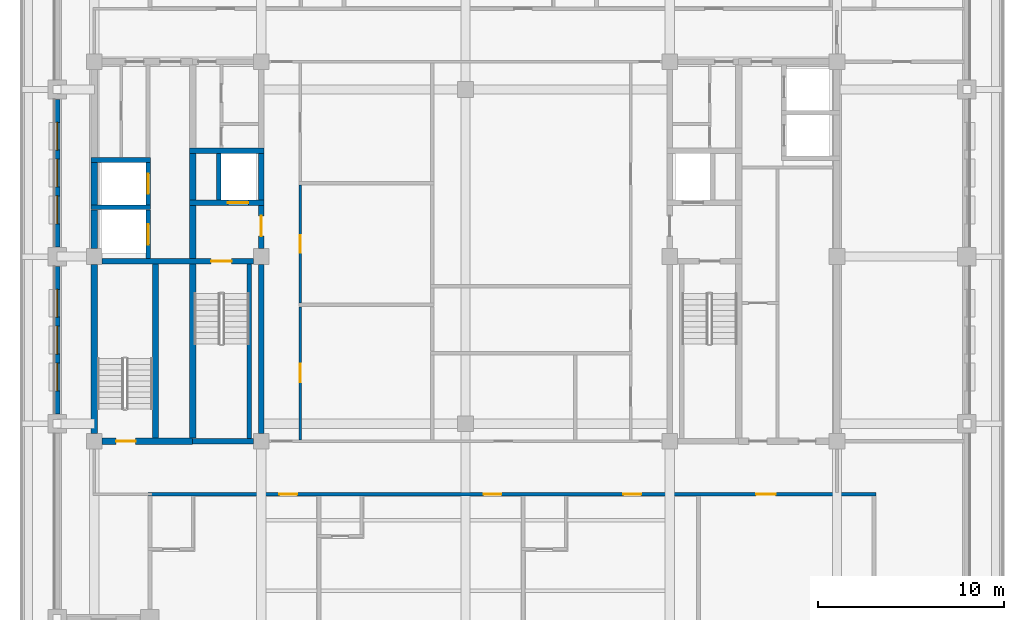
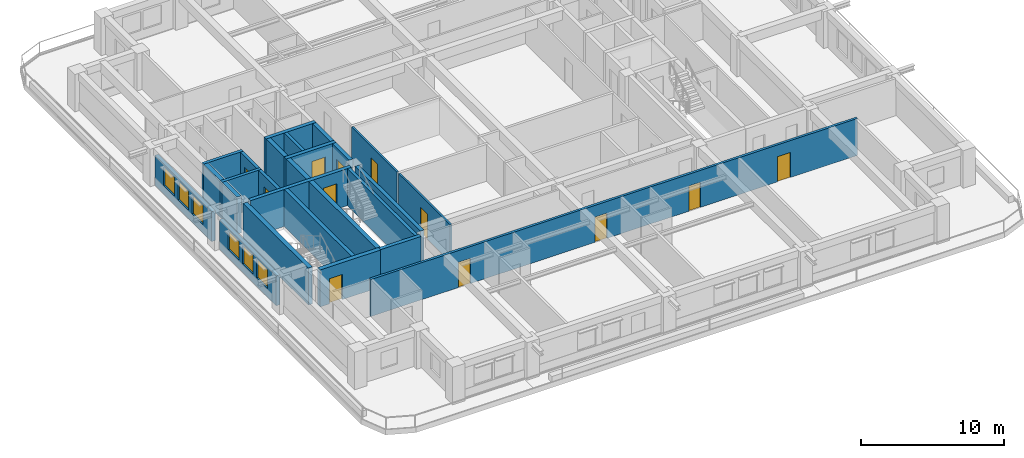
# One storey, part 3 of 13: 26 walls, 12 doors, 6 windows, 18 openings.
"""IFC4 building model written with IfcOpenShell, lengths in metres."""

from ifc_helpers import new_model, si_unit, direction, frame, frame_2d, origin, place, context, subcontext, project, spatial, rectangle, extrude, material, layer, layer_set, type_object, element, fill, save


model = new_model("IFC4")

# Units and contexts
model_context = context("Model", 3, precision=1e-05, world=origin(), true_north=direction((0.0, 1.0)))
body_context = subcontext(model_context, "Body", "Model", "MODEL_VIEW")
ifc_project = project(units=[si_unit("LENGTHUNIT", "METRE"), si_unit("AREAUNIT", "SQUARE_METRE"), si_unit("VOLUMEUNIT", "CUBIC_METRE"), si_unit("PLANEANGLEUNIT", "RADIAN"), si_unit("MASSUNIT", "GRAM", prefix="KILO")], contexts=[model_context])

# Site, building, storey
site_placement = place(None, origin())
site = spatial("IfcSite", under=ifc_project, at=site_placement, CompositionType="ELEMENT")
building_placement = place(site_placement, origin())
building = spatial("IfcBuilding", under=site, at=building_placement, Name="Zulmaris Gate Convention Tower", CompositionType="ELEMENT")
storey_placement = place(building_placement, frame((0.0, 0.0, 176.259765625)))
storey = spatial("IfcBuildingStorey", under=building, at=storey_placement, Name="L45", CompositionType="ELEMENT", Elevation=176.259765625)

# Walls
ifc_material_1 = material(Name="Concrete C50/60", Category="concrete")
ifc_layer_1 = layer(ifc_material_1, 0.25, Name="Concrete C50/60")
ifc_layer_set_1 = layer_set([ifc_layer_1], Name="Concrete C50/60")
wall_type_1 = type_object("IfcWallType", Name="CORE-250", PredefinedType="SOLIDWALL", material=ifc_layer_set_1)
for number, where, z_axis, x_axis, name in (
    (1, (-20.175048828125, 2.64990234375, 0.0), (0.0, 0.0, 1.0), (1.0, 0.0, 0.0), "WL-L45-007"),
    (2, (-20.175048828125, 5.199951171875, 0.0), (0.0, 0.0, 1.0), (1.0, 0.0, 0.0), "WL-L45-010"),
):
    element("IfcWall", number, at=place(storey_placement, frame(where, z_axis=z_axis, x_axis=x_axis)), inside=storey, type_object=wall_type_1, Name=name, PredefinedType="SOLIDWALL", context=body_context, shape_type="SweptSolid", body=[
        extrude(rectangle(XDim=3.199951171875, YDim=0.25, at=frame_2d((1.60009765625, 0.0))), origin(), (0.0, 0.0, 1.0), 3.150146484375),
    ])

# Wall, opening, door
wall_1_placement = place(storey_placement, frame((-17.10009765625, -0.097900390625, 0.0), z_axis=(0.0, 0.0, 1.0), x_axis=(0.0, 1.0, 0.0)))
wall_1 = element("IfcWall", 3, at=wall_1_placement, inside=storey, type_object=wall_type_1, Name="WL-L45-046", PredefinedType="SOLIDWALL", context=body_context, shape_type="SweptSolid", body=[
    extrude(rectangle(XDim=2.620849609375, YDim=0.25, at=frame_2d((1.310546875, 0.0))), origin(), (0.0, 0.0, 1.0), 3.150146484375),
])
opening_1_placement = place(wall_1_placement, frame((0.748046875, 0.0, 0.0)))
opening_1 = element("IfcOpeningElement", 4, at=opening_1_placement, cuts=wall_1, Name="Opening D-06", PredefinedType="OPENING", context=body_context, shape_type="SweptSolid", body=[
    extrude(rectangle(XDim=1.10009765625, YDim=2.199951171875, at=frame_2d((0.550048828125, 1.10009765625))), frame((0.0, 0.135009765625, 0.0), z_axis=(0.0, -1.0, 0.0), x_axis=(1.0, 0.0, 0.0)), (0.0, 0.0, 1.0), 0.27001953125),
])
ifc_material_2 = material(Name="Brushed Stainless Steel", Category="steel")
door_type_1 = type_object("IfcDoorType", Name="LD-1100", OperationType="NOTDEFINED", PredefinedType="DOOR", material=ifc_material_2)
door_1_placement = place(opening_1_placement, origin())
door_1 = element("IfcDoor", 5, at=door_1_placement, inside=storey, type_object=door_type_1, Name="L45 Lift Landing Door HP-03 14", OperationType="SLIDING_TO_LEFT", OverallHeight=2.199951171875, OverallWidth=1.10009765625, PredefinedType="DOOR", context=body_context, shape_type="SweptSolid", body=[
    extrude(rectangle(XDim=1.10009765625, YDim=2.199951171875, at=frame_2d((0.550048828125, 1.10009765625))), frame((0.0, 0.02490234375, 0.0), z_axis=(0.0, -1.0, 0.0), x_axis=(1.0, 0.0, 0.0)), (0.0, 0.0, 1.0), 0.050048828125),
])
fill(opening_1, door_1)

wall_2_placement = place(storey_placement, frame((-17.10009765625, 2.777099609375, 0.0), z_axis=(0.0, 0.0, 1.0), x_axis=(0.0, 1.0, 0.0)))
wall_2 = element("IfcWall", 6, at=wall_2_placement, inside=storey, type_object=wall_type_1, Name="WL-L45-047", PredefinedType="SOLIDWALL", context=body_context, shape_type="SweptSolid", body=[
    extrude(rectangle(XDim=2.2958984375, YDim=0.25, at=frame_2d((1.14794921875, 0.0))), origin(), (0.0, 0.0, 1.0), 3.150146484375),
])
opening_2_placement = place(wall_2_placement, frame((0.597900390625, 0.0, 0.0)))
opening_2 = element("IfcOpeningElement", 7, at=opening_2_placement, cuts=wall_2, Name="Opening D-06", PredefinedType="OPENING", context=body_context, shape_type="SweptSolid", body=[
    extrude(rectangle(XDim=1.10009765625, YDim=2.199951171875, at=frame_2d((0.550048828125, 1.10009765625))), frame((0.0, 0.135009765625, 0.0), z_axis=(0.0, -1.0, 0.0), x_axis=(1.0, 0.0, 0.0)), (0.0, 0.0, 1.0), 0.27001953125),
])
door_2_placement = place(opening_2_placement, origin())
door_2 = element("IfcDoor", 8, at=door_2_placement, inside=storey, type_object=door_type_1, Name="L45 Lift Landing Door HP-04 15", OperationType="SLIDING_TO_LEFT", OverallHeight=2.199951171875, OverallWidth=1.10009765625, PredefinedType="DOOR", context=body_context, shape_type="SweptSolid", body=[
    extrude(rectangle(XDim=1.10009765625, YDim=2.199951171875, at=frame_2d((0.550048828125, 1.10009765625))), frame((0.0, 0.02490234375, 0.0), z_axis=(0.0, -1.0, 0.0), x_axis=(1.0, 0.0, 0.0)), (0.0, 0.0, 1.0), 0.050048828125),
])
fill(opening_2, door_2)

# Walls
wall_3_placement = place(storey_placement, frame((-13.300048828125, 3.052001953125, 0.0), z_axis=(0.0, 0.0, 1.0), x_axis=(0.0, 1.0, 0.0)))
element("IfcWall", 9, at=wall_3_placement, inside=storey, type_object=wall_type_1, Name="WL-L45-053", PredefinedType="SOLIDWALL", context=body_context, shape_type="SweptSolid", body=[
    extrude(rectangle(XDim=2.49609375, YDim=0.25, at=frame_2d((1.248046875, 0.0))), origin(), (0.0, 0.0, 1.0), 3.150146484375),
])
wall_4_placement = place(storey_placement, frame((-11.64990234375, -9.798095703125, 0.0), z_axis=(0.0, 0.0, 1.0), x_axis=(0.0, 1.0, 0.0)))
element("IfcWall", 10, at=wall_4_placement, inside=storey, type_object=wall_type_1, Name="WL-L45-054", PredefinedType="SOLIDWALL", context=body_context, shape_type="SweptSolid", body=[
    extrude(rectangle(XDim=9.39599609375, YDim=0.25, at=frame_2d((4.697998046875, 0.0))), origin(), (0.0, 0.0, 1.0), 3.150146484375),
])
ifc_layer_2 = layer(ifc_material_1, 0.300048828125, Name="Concrete C50/60")
ifc_layer_set_2 = layer_set([ifc_layer_2], Name="Concrete C50/60")
wall_type_2 = type_object("IfcWallType", Name="CORE-300", PredefinedType="SHEAR", material=ifc_layer_set_2)
wall_5_placement = place(storey_placement, frame((-14.699951171875, -9.949951171875, 0.0), z_axis=(0.0, 0.0, 1.0), x_axis=(1.0, 0.0, 0.0)))
element("IfcWall", 11, at=wall_5_placement, inside=storey, type_object=wall_type_2, Name="WL-L45-002", PredefinedType="SHEAR", context=body_context, shape_type="SweptSolid", body=[
    extrude(rectangle(XDim=3.27099609375, YDim=0.300048828125, at=frame_2d((1.635498046875, 0.0))), origin(), (0.0, 0.0, 1.0), 3.150146484375),
])

# Wall, opening, door
wall_6_placement = place(storey_placement, frame((-19.571044921875, -0.25, 0.0), z_axis=(0.0, 0.0, 1.0), x_axis=(1.0, 0.0, 0.0)))
wall_6 = element("IfcWall", 12, at=wall_6_placement, inside=storey, type_object=wall_type_2, Name="WL-L45-005", PredefinedType="SHEAR", context=body_context, shape_type="SweptSolid", body=[
    extrude(rectangle(XDim=8.14208984375, YDim=0.300048828125, at=frame_2d((4.071044921875, 0.0))), origin(), (0.0, 0.0, 1.0), 3.150146484375),
])
opening_3_placement = place(wall_6_placement, frame((5.87109375, 0.0, 0.0)))
opening_3 = element("IfcOpeningElement", 13, at=opening_3_placement, cuts=wall_6, Name="Opening D-08", PredefinedType="OPENING", context=body_context, shape_type="SweptSolid", body=[
    extrude(rectangle(XDim=1.10009765625, YDim=2.14990234375, at=frame_2d((0.550048828125, 1.074951171875))), frame((0.0, 0.16015625, 0.0), z_axis=(0.0, -1.0, 0.0), x_axis=(1.0, 0.0, 0.0)), (0.0, 0.0, 1.0), 0.320068359375),
])
ifc_material_3 = material(Name="Fire-Rated Steel", Category="steel")
door_type_2 = type_object("IfcDoorType", Name="DR-1100-FD", OperationType="NOTDEFINED", PredefinedType="DOOR", material=ifc_material_3)
door_3_placement = place(opening_3_placement, origin())
door_3 = element("IfcDoor", 14, at=door_3_placement, inside=storey, type_object=door_type_2, Name="L45 Exit Stair ST-1 Door 01", OperationType="SINGLE_SWING_RIGHT", OverallHeight=2.14990234375, OverallWidth=1.10009765625, PredefinedType="DOOR", context=body_context, shape_type="SweptSolid", body=[
    extrude(rectangle(XDim=1.10009765625, YDim=2.14990234375, at=frame_2d((0.550048828125, 1.074951171875))), frame((0.0, 0.02490234375, 0.0), z_axis=(0.0, -1.0, 0.0), x_axis=(1.0, 0.0, 0.0)), (0.0, 0.0, 1.0), 0.050048828125),
])
fill(opening_3, door_3)

wall_7_placement = place(storey_placement, frame((-14.875, 2.89990234375, 0.0), z_axis=(0.0, 0.0, 1.0), x_axis=(1.0, 0.0, 0.0)))
wall_7 = element("IfcWall", 15, at=wall_7_placement, inside=storey, type_object=wall_type_2, Name="WL-L45-008", PredefinedType="SHEAR", context=body_context, shape_type="SweptSolid", body=[
    extrude(rectangle(XDim=4.02490234375, YDim=0.300048828125, at=frame_2d((2.012451171875, 0.0))), origin(), (0.0, 0.0, 1.0), 3.150146484375),
])
opening_4_placement = place(wall_7_placement, frame((2.074951171875, 0.0, 0.0)))
opening_4 = element("IfcOpeningElement", 16, at=opening_4_placement, cuts=wall_7, Name="Opening D-06", PredefinedType="OPENING", context=body_context, shape_type="SweptSolid", body=[
    extrude(rectangle(XDim=1.10009765625, YDim=2.199951171875, at=frame_2d((0.550048828125, 1.10009765625))), frame((0.0, 0.16015625, 0.0), z_axis=(0.0, -1.0, 0.0), x_axis=(1.0, 0.0, 0.0)), (0.0, 0.0, 1.0), 0.320068359375),
])
door_4_placement = place(opening_4_placement, origin())
door_4 = element("IfcDoor", 17, at=door_4_placement, inside=storey, type_object=door_type_1, Name="L45 Lift Landing Door LF-01 03", OperationType="SLIDING_TO_LEFT", OverallHeight=2.199951171875, OverallWidth=1.10009765625, PredefinedType="DOOR", context=body_context, shape_type="SweptSolid", body=[
    extrude(rectangle(XDim=1.10009765625, YDim=2.199951171875, at=frame_2d((0.550048828125, 1.10009765625))), frame((0.0, 0.02490234375, 0.0), z_axis=(0.0, -1.0, 0.0), x_axis=(1.0, 0.0, 0.0)), (0.0, 0.0, 1.0), 0.050048828125),
])
fill(opening_4, door_4)

# Walls
wall_8_placement = place(storey_placement, frame((-14.875, 5.699951171875, 0.0), z_axis=(0.0, 0.0, 1.0), x_axis=(1.0, 0.0, 0.0)))
element("IfcWall", 18, at=wall_8_placement, inside=storey, type_object=wall_type_2, Name="WL-L45-012", PredefinedType="SHEAR", context=body_context, shape_type="SweptSolid", body=[
    extrude(rectangle(XDim=4.02490234375, YDim=0.300048828125, at=frame_2d((2.012451171875, 0.0))), origin(), (0.0, 0.0, 1.0), 3.150146484375),
])
wall_9_placement = place(storey_placement, frame((-16.699951171875, -9.77294921875, 0.0), z_axis=(0.0, 0.0, 1.0), x_axis=(0.0, 1.0, 0.0)))
element("IfcWall", 19, at=wall_9_placement, inside=storey, type_object=wall_type_2, Name="WL-L45-048", PredefinedType="SHEAR", context=body_context, shape_type="SweptSolid", body=[
    extrude(rectangle(XDim=9.370849609375, YDim=0.300048828125, at=frame_2d((4.685546875, 0.0))), origin(), (0.0, 0.0, 1.0), 3.150146484375),
])
wall_10_placement = place(storey_placement, frame((-11.0, -9.52099609375, 0.0), z_axis=(0.0, 0.0, 1.0), x_axis=(0.0, 1.0, 0.0)))
element("IfcWall", 20, at=wall_10_placement, inside=storey, type_object=wall_type_2, Name="WL-L45-055", PredefinedType="SHEAR", context=body_context, shape_type="SweptSolid", body=[
    extrude(rectangle(XDim=9.092041015625, YDim=0.300048828125, at=frame_2d((4.5458984375, 0.0))), origin(), (0.0, 0.0, 1.0), 3.150146484375),
])

# Wall, opening, door
wall_11_placement = place(storey_placement, frame((-11.0, 0.428955078125, 0.0), z_axis=(0.0, 0.0, 1.0), x_axis=(0.0, 1.0, 0.0)))
wall_11 = element("IfcWall", 21, at=wall_11_placement, inside=storey, type_object=wall_type_2, Name="WL-L45-056", PredefinedType="SHEAR", context=body_context, shape_type="SweptSolid", body=[
    extrude(rectangle(XDim=2.319091796875, YDim=0.300048828125, at=frame_2d((1.15966796875, 0.0))), origin(), (0.0, 0.0, 1.0), 3.150146484375),
])
opening_5_placement = place(wall_11_placement, frame((0.6708984375, 0.0, 0.0)))
opening_5 = element("IfcOpeningElement", 22, at=opening_5_placement, cuts=wall_11, Name="Opening D-08", PredefinedType="OPENING", context=body_context, shape_type="SweptSolid", body=[
    extrude(rectangle(XDim=1.10009765625, YDim=2.14990234375, at=frame_2d((0.550048828125, 1.074951171875))), frame((0.0, 0.16015625, 0.0), z_axis=(0.0, -1.0, 0.0), x_axis=(1.0, 0.0, 0.0)), (0.0, 0.0, 1.0), 0.320068359375),
])
door_5_placement = place(opening_5_placement, origin())
door_5 = element("IfcDoor", 23, at=door_5_placement, inside=storey, type_object=door_type_2, Name="L45 West Firefighting Lobby Door 02", OperationType="SINGLE_SWING_LEFT", OverallHeight=2.14990234375, OverallWidth=1.10009765625, PredefinedType="DOOR", context=body_context, shape_type="SweptSolid", body=[
    extrude(rectangle(XDim=1.10009765625, YDim=2.14990234375, at=frame_2d((0.550048828125, 1.074951171875))), frame((0.0, 0.02490234375, 0.0), z_axis=(0.0, -1.0, 0.0), x_axis=(1.0, 0.0, 0.0)), (0.0, 0.0, 1.0), 0.050048828125),
])
fill(opening_5, door_5)

# Wall
wall_12_placement = place(storey_placement, frame((-11.0, 3.052001953125, 0.0), z_axis=(0.0, 0.0, 1.0), x_axis=(0.0, 1.0, 0.0)))
element("IfcWall", 24, at=wall_12_placement, inside=storey, type_object=wall_type_2, Name="WL-L45-057", PredefinedType="SHEAR", context=body_context, shape_type="SweptSolid", body=[
    extrude(rectangle(XDim=2.49609375, YDim=0.300048828125, at=frame_2d((1.248046875, 0.0))), origin(), (0.0, 0.0, 1.0), 3.150146484375),
])

# Wall, opening, door
ifc_material_4 = material(Name="Concrete C55/67", Category="concrete")
ifc_layer_3 = layer(ifc_material_4, 0.35009765625, Name="Concrete C55/67")
ifc_layer_set_3 = layer_set([ifc_layer_3], Name="Concrete C55/67")
wall_type_3 = type_object("IfcWallType", Name="CORE-350", PredefinedType="SHEAR", material=ifc_layer_set_3)
wall_13_placement = place(storey_placement, frame((-19.571044921875, -9.949951171875, 0.0), z_axis=(0.0, 0.0, 1.0), x_axis=(1.0, 0.0, 0.0)))
wall_13 = element("IfcWall", 25, at=wall_13_placement, inside=storey, type_object=wall_type_3, Name="WL-L45-001", PredefinedType="SHEAR", context=body_context, shape_type="SweptSolid", body=[
    extrude(rectangle(XDim=4.87109375, YDim=0.35009765625, at=frame_2d((2.435546875, 0.0))), origin(), (0.0, 0.0, 1.0), 3.150146484375),
])
opening_6_placement = place(wall_13_placement, frame((0.74609375, 0.0, 0.0)))
opening_6 = element("IfcOpeningElement", 26, at=opening_6_placement, cuts=wall_13, Name="Opening D-09", PredefinedType="OPENING", context=body_context, shape_type="SweptSolid", body=[
    extrude(rectangle(XDim=1.050048828125, YDim=2.14990234375, at=frame_2d((0.52490234375, 1.074951171875))), frame((0.0, 0.18505859375, 0.0), z_axis=(0.0, -1.0, 0.0), x_axis=(1.0, 0.0, 0.0)), (0.0, 0.0, 1.0), 0.3701171875),
])
door_type_3 = type_object("IfcDoorType", Name="DR-1050-FD", OperationType="NOTDEFINED", PredefinedType="DOOR", material=ifc_material_3)
door_6_placement = place(opening_6_placement, origin())
door_6 = element("IfcDoor", 27, at=door_6_placement, inside=storey, type_object=door_type_3, Name="L45 Exit Stair ST-3 Door 13", OperationType="SINGLE_SWING_RIGHT", OverallHeight=2.14990234375, OverallWidth=1.050048828125, PredefinedType="DOOR", context=body_context, shape_type="SweptSolid", body=[
    extrude(rectangle(XDim=1.050048828125, YDim=2.14990234375, at=frame_2d((0.52490234375, 1.074951171875))), frame((0.0, 0.02490234375, 0.0), z_axis=(0.0, -1.0, 0.0), x_axis=(1.0, 0.0, 0.0)), (0.0, 0.0, 1.0), 0.050048828125),
])
fill(opening_6, door_6)

# Walls
wall_14_placement = place(storey_placement, frame((-20.0, -9.52099609375, 0.0), z_axis=(0.0, 0.0, 1.0), x_axis=(0.0, 1.0, 0.0)))
element("IfcWall", 28, at=wall_14_placement, inside=storey, type_object=wall_type_3, Name="WL-L45-042", PredefinedType="SHEAR", context=body_context, shape_type="SweptSolid", body=[
    extrude(rectangle(XDim=9.092041015625, YDim=0.35009765625, at=frame_2d((4.5458984375, 0.0))), origin(), (0.0, 0.0, 1.0), 3.150146484375),
])
wall_15_placement = place(storey_placement, frame((-20.0, 0.428955078125, 0.0), z_axis=(0.0, 0.0, 1.0), x_axis=(0.0, 1.0, 0.0)))
element("IfcWall", 29, at=wall_15_placement, inside=storey, type_object=wall_type_3, Name="WL-L45-043", PredefinedType="SHEAR", context=body_context, shape_type="SweptSolid", body=[
    extrude(rectangle(XDim=2.093994140625, YDim=0.35009765625, at=frame_2d((1.046875, 0.0))), origin(), (0.0, 0.0, 1.0), 3.150146484375),
])
wall_16_placement = place(storey_placement, frame((-20.0, 2.777099609375, 0.0), z_axis=(0.0, 0.0, 1.0), x_axis=(0.0, 1.0, 0.0)))
element("IfcWall", 30, at=wall_16_placement, inside=storey, type_object=wall_type_3, Name="WL-L45-044", PredefinedType="SHEAR", context=body_context, shape_type="SweptSolid", body=[
    extrude(rectangle(XDim=2.2958984375, YDim=0.35009765625, at=frame_2d((1.14794921875, 0.0))), origin(), (0.0, 0.0, 1.0), 3.150146484375),
])
wall_17_placement = place(storey_placement, frame((-14.699951171875, -9.77294921875, 0.0), z_axis=(0.0, 0.0, 1.0), x_axis=(0.0, 1.0, 0.0)))
element("IfcWall", 31, at=wall_17_placement, inside=storey, type_object=wall_type_3, Name="WL-L45-049", PredefinedType="SHEAR", context=body_context, shape_type="SweptSolid", body=[
    extrude(rectangle(XDim=9.370849609375, YDim=0.35009765625, at=frame_2d((4.685546875, 0.0))), origin(), (0.0, 0.0, 1.0), 3.150146484375),
])
wall_18_placement = place(storey_placement, frame((-14.699951171875, -0.097900390625, 0.0), z_axis=(0.0, 0.0, 1.0), x_axis=(0.0, 1.0, 0.0)))
element("IfcWall", 32, at=wall_18_placement, inside=storey, type_object=wall_type_3, Name="WL-L45-050", PredefinedType="SHEAR", context=body_context, shape_type="SweptSolid", body=[
    extrude(rectangle(XDim=2.845947265625, YDim=0.35009765625, at=frame_2d((1.4228515625, 0.0))), origin(), (0.0, 0.0, 1.0), 3.150146484375),
])
wall_19_placement = place(storey_placement, frame((-14.699951171875, 3.052001953125, 0.0), z_axis=(0.0, 0.0, 1.0), x_axis=(0.0, 1.0, 0.0)))
element("IfcWall", 33, at=wall_19_placement, inside=storey, type_object=wall_type_3, Name="WL-L45-051", PredefinedType="SHEAR", context=body_context, shape_type="SweptSolid", body=[
    extrude(rectangle(XDim=2.49609375, YDim=0.35009765625, at=frame_2d((1.248046875, 0.0))), origin(), (0.0, 0.0, 1.0), 3.150146484375),
])

# Wall, opening, door
ifc_material_5 = material(Name="Gypsum Metal Stud Partition")
ifc_layer_4 = layer(ifc_material_5, 0.14990234375, Name="Gypsum Metal Stud Partition")
ifc_layer_set_4 = layer_set([ifc_layer_4], Name="Gypsum Metal Stud Partition")
wall_type_4 = type_object("IfcWallType", Name="PART-150", PredefinedType="PARTITIONING", material=ifc_layer_set_4)
wall_20_placement = place(storey_placement, frame((-8.89990234375, -9.8720703125, 0.0), z_axis=(0.0, 0.0, 1.0), x_axis=(0.0, 1.0, 0.0)))
wall_20 = element("IfcWall", 34, at=wall_20_placement, inside=storey, type_object=wall_type_4, Name="WL-L45-084", PredefinedType="PARTITIONING", context=body_context, shape_type="SweptSolid", body=[
    extrude(rectangle(XDim=7.169189453125, YDim=0.14990234375, at=frame_2d((3.58447265625, 0.0))), origin(), (0.0, 0.0, 1.0), 3.150146484375),
])
opening_7_placement = place(wall_20_placement, frame((3.10205078125, 0.0, 0.0)))
opening_7 = element("IfcOpeningElement", 35, at=opening_7_placement, cuts=wall_20, Name="Opening D-10", PredefinedType="OPENING", context=body_context, shape_type="SweptSolid", body=[
    extrude(rectangle(XDim=1.0, YDim=2.14990234375, at=frame_2d((0.5, 1.074951171875))), frame((0.0, 0.0849609375, 0.0), z_axis=(0.0, -1.0, 0.0), x_axis=(1.0, 0.0, 0.0)), (0.0, 0.0, 1.0), 0.169921875),
])
ifc_material_6 = material(Name="Fire-Rated Timber", Category="wood")
door_type_4 = type_object("IfcDoorType", Name="DR-1000-FD", OperationType="NOTDEFINED", PredefinedType="DOOR", material=ifc_material_6)
door_7_placement = place(opening_7_placement, origin())
door_7 = element("IfcDoor", 36, at=door_7_placement, inside=storey, type_object=door_type_4, Name="L45 Guest Study Door 44", OperationType="SINGLE_SWING_LEFT", OverallHeight=2.14990234375, OverallWidth=1.0, PredefinedType="DOOR", context=body_context, shape_type="SweptSolid", body=[
    extrude(rectangle(XDim=1.0, YDim=2.14990234375, at=frame_2d((0.5, 1.074951171875))), frame((0.0, 0.02490234375, 0.0), z_axis=(0.0, -1.0, 0.0), x_axis=(1.0, 0.0, 0.0)), (0.0, 0.0, 1.0), 0.050048828125),
])
fill(opening_7, door_7)

wall_21_placement = place(storey_placement, frame((-8.89990234375, -2.4970703125, 0.0), z_axis=(0.0, 0.0, 1.0), x_axis=(0.0, 1.0, 0.0)))
wall_21 = element("IfcWall", 37, at=wall_21_placement, inside=storey, type_object=wall_type_4, Name="WL-L45-085", PredefinedType="PARTITIONING", context=body_context, shape_type="SweptSolid", body=[
    extrude(rectangle(XDim=6.343994140625, YDim=0.14990234375, at=frame_2d((3.171875, 0.0))), origin(), (0.0, 0.0, 1.0), 3.150146484375),
])
opening_8_placement = place(wall_21_placement, frame((2.701904296875, 0.0, 0.0)))
opening_8 = element("IfcOpeningElement", 38, at=opening_8_placement, cuts=wall_21, Name="Opening D-11", PredefinedType="OPENING", context=body_context, shape_type="SweptSolid", body=[
    extrude(rectangle(XDim=0.949951171875, YDim=2.14990234375, at=frame_2d((0.47509765625, 1.074951171875))), frame((0.0, 0.0849609375, 0.0), z_axis=(0.0, -1.0, 0.0), x_axis=(1.0, 0.0, 0.0)), (0.0, 0.0, 1.0), 0.169921875),
])
door_type_5 = type_object("IfcDoorType", Name="DR-950-FD", OperationType="NOTDEFINED", PredefinedType="DOOR", material=ifc_material_6)
door_8_placement = place(opening_8_placement, origin())
door_8 = element("IfcDoor", 39, at=door_8_placement, inside=storey, type_object=door_type_5, Name="L45 Tea Salon Door 43", OperationType="SINGLE_SWING_RIGHT", OverallHeight=2.14990234375, OverallWidth=0.949951171875, PredefinedType="DOOR", context=body_context, shape_type="SweptSolid", body=[
    extrude(rectangle(XDim=0.949951171875, YDim=2.14990234375, at=frame_2d((0.47509765625, 1.074951171875))), frame((0.0, 0.02490234375, 0.0), z_axis=(0.0, -1.0, 0.0), x_axis=(1.0, 0.0, 0.0)), (0.0, 0.0, 1.0), 0.050048828125),
])
fill(opening_8, door_8)

# Wall, openings, doors
ifc_material_7 = material(Name="Autoclaved Aerated Concrete Block and Plasterboard", Category="concrete")
ifc_layer_5 = layer(ifc_material_7, 0.199951171875, Name="Autoclaved Aerated Concrete Block and Plasterboard")
ifc_layer_set_5 = layer_set([ifc_layer_5], Name="Autoclaved Aerated Concrete Block and Plasterboard")
wall_type_5 = type_object("IfcWallType", Name="PART-200", PredefinedType="PARTITIONING", material=ifc_layer_set_5)
wall_22_placement = place(storey_placement, frame((-17.10009765625, -12.800048828125, 0.0), z_axis=(0.0, 0.0, 1.0), x_axis=(1.0, 0.0, 0.0)))
wall_22 = element("IfcWall", 40, at=wall_22_placement, inside=storey, type_object=wall_type_5, Name="WL-L45-023", PredefinedType="PARTITIONING", context=body_context, shape_type="SweptSolid", body=[
    extrude(rectangle(XDim=39.2001953125, YDim=0.199951171875, at=frame_2d((19.60009765625, 0.0))), origin(), (0.0, 0.0, 1.0), 3.150146484375),
])
opening_9_placement = place(wall_22_placement, frame((7.074951171875, 0.0, 0.0)))
opening_9 = element("IfcOpeningElement", 41, at=opening_9_placement, cuts=wall_22, Name="Opening D-11", PredefinedType="OPENING", context=body_context, shape_type="SweptSolid", body=[
    extrude(rectangle(XDim=0.949951171875, YDim=2.14990234375, at=frame_2d((0.47509765625, 1.074951171875))), frame((0.0, 0.10986328125, 0.0), z_axis=(0.0, -1.0, 0.0), x_axis=(1.0, 0.0, 0.0)), (0.0, 0.0, 1.0), 0.219970703125),
])
opening_10_placement = place(wall_22_placement, frame((18.074951171875, 0.0, 0.0)))
opening_10 = element("IfcOpeningElement", 42, at=opening_10_placement, cuts=wall_22, Name="Opening D-11", PredefinedType="OPENING", context=body_context, shape_type="SweptSolid", body=[
    extrude(rectangle(XDim=0.949951171875, YDim=2.14990234375, at=frame_2d((0.47509765625, 1.074951171875))), frame((0.0, 0.10986328125, 0.0), z_axis=(0.0, -1.0, 0.0), x_axis=(1.0, 0.0, 0.0)), (0.0, 0.0, 1.0), 0.219970703125),
])
opening_11_placement = place(wall_22_placement, frame((25.60498046875, 0.0, 0.0)))
opening_11 = element("IfcOpeningElement", 43, at=opening_11_placement, cuts=wall_22, Name="Opening D-11", PredefinedType="OPENING", context=body_context, shape_type="SweptSolid", body=[
    extrude(rectangle(XDim=0.949951171875, YDim=2.14990234375, at=frame_2d((0.47509765625, 1.074951171875))), frame((0.0, 0.10986328125, 0.0), z_axis=(0.0, -1.0, 0.0), x_axis=(1.0, 0.0, 0.0)), (0.0, 0.0, 1.0), 0.219970703125),
])
opening_12_placement = place(wall_22_placement, frame((32.7548828125, 0.0, 0.0)))
opening_12 = element("IfcOpeningElement", 44, at=opening_12_placement, cuts=wall_22, Name="Opening D-09", PredefinedType="OPENING", context=body_context, shape_type="SweptSolid", body=[
    extrude(rectangle(XDim=1.050048828125, YDim=2.14990234375, at=frame_2d((0.52490234375, 1.074951171875))), frame((0.0, 0.10986328125, 0.0), z_axis=(0.0, -1.0, 0.0), x_axis=(1.0, 0.0, 0.0)), (0.0, 0.0, 1.0), 0.219970703125),
])
door_9_placement = place(opening_12_placement, origin())
door_9 = element("IfcDoor", 45, at=door_9_placement, inside=storey, type_object=door_type_3, Name="L45 Briefing Room Door 41", OperationType="SINGLE_SWING_RIGHT", OverallHeight=2.14990234375, OverallWidth=1.050048828125, PredefinedType="DOOR", context=body_context, shape_type="SweptSolid", body=[
    extrude(rectangle(XDim=1.050048828125, YDim=2.14990234375, at=frame_2d((0.52490234375, 1.074951171875))), frame((0.0, 0.02490234375, 0.0), z_axis=(0.0, -1.0, 0.0), x_axis=(1.0, 0.0, 0.0)), (0.0, 0.0, 1.0), 0.050048828125),
])
fill(opening_12, door_9)
door_10_placement = place(opening_9_placement, origin())
door_10 = element("IfcDoor", 46, at=door_10_placement, inside=storey, type_object=door_type_5, Name="L45 Hotel Executive Suite Door 35", OperationType="SINGLE_SWING_RIGHT", OverallHeight=2.14990234375, OverallWidth=0.949951171875, PredefinedType="DOOR", context=body_context, shape_type="SweptSolid", body=[
    extrude(rectangle(XDim=0.949951171875, YDim=2.14990234375, at=frame_2d((0.47509765625, 1.074951171875))), frame((0.0, 0.02490234375, 0.0), z_axis=(0.0, -1.0, 0.0), x_axis=(1.0, 0.0, 0.0)), (0.0, 0.0, 1.0), 0.050048828125),
])
fill(opening_9, door_10)
door_11_placement = place(opening_10_placement, origin())
door_11 = element("IfcDoor", 47, at=door_11_placement, inside=storey, type_object=door_type_5, Name="L45 Hotel Executive Suite Door 37", OperationType="SINGLE_SWING_RIGHT", OverallHeight=2.14990234375, OverallWidth=0.949951171875, PredefinedType="DOOR", context=body_context, shape_type="SweptSolid", body=[
    extrude(rectangle(XDim=0.949951171875, YDim=2.14990234375, at=frame_2d((0.47509765625, 1.074951171875))), frame((0.0, 0.02490234375, 0.0), z_axis=(0.0, -1.0, 0.0), x_axis=(1.0, 0.0, 0.0)), (0.0, 0.0, 1.0), 0.050048828125),
])
fill(opening_10, door_11)
door_12_placement = place(opening_11_placement, origin())
door_12 = element("IfcDoor", 48, at=door_12_placement, inside=storey, type_object=door_type_5, Name="L45 Hotel Executive Suite Door 39", OperationType="SINGLE_SWING_RIGHT", OverallHeight=2.14990234375, OverallWidth=0.949951171875, PredefinedType="DOOR", context=body_context, shape_type="SweptSolid", body=[
    extrude(rectangle(XDim=0.949951171875, YDim=2.14990234375, at=frame_2d((0.47509765625, 1.074951171875))), frame((0.0, 0.02490234375, 0.0), z_axis=(0.0, -1.0, 0.0), x_axis=(1.0, 0.0, 0.0)), (0.0, 0.0, 1.0), 0.050048828125),
])
fill(opening_11, door_12)

# Wall, openings, windows
ifc_material_8 = material(Name="Precast concrete C40/50", Category="concrete")
ifc_layer_6 = layer(ifc_material_8, 0.300048828125, Name="Precast concrete C40/50")
ifc_layer_set_6 = layer_set([ifc_layer_6], Name="Precast concrete C40/50")
wall_type_6 = type_object("IfcWallType", Name="PRECAST-PIER-300", PredefinedType="STANDARD", material=ifc_layer_set_6)
wall_23_placement = place(storey_placement, frame((-22.0, -0.530029296875, 0.0), z_axis=(0.0, 0.0, 1.0), x_axis=(0.0, -1.0, 0.0)))
wall_23 = element("IfcWall", 49, at=wall_23_placement, inside=storey, type_object=wall_type_6, Name="EW-L45-W-1_0", PredefinedType="STANDARD", context=body_context, shape_type="SweptSolid", body=[
    extrude(rectangle(XDim=7.93994140625, YDim=0.300048828125, at=frame_2d((3.969970703125, 0.0))), origin(), (0.0, 0.0, 1.0), 2.542236328125),
])
opening_13_placement = place(wall_23_placement, frame((1.235107421875, 0.0, 0.719970703125)))
opening_13 = element("IfcOpeningElement", 50, at=opening_13_placement, cuts=wall_23, Name="Opening W-03", PredefinedType="OPENING", context=body_context, shape_type="SweptSolid", body=[
    extrude(rectangle(XDim=1.5, YDim=1.60009765625, at=frame_2d((0.75, 0.800048828125))), frame((0.0, 0.16015625, 0.0), z_axis=(0.0, -1.0, 0.0), x_axis=(1.0, 0.0, 0.0)), (0.0, 0.0, 1.0), 0.320068359375),
])
opening_14_placement = place(wall_23_placement, frame((3.219970703125, 0.0, 0.719970703125)))
opening_14 = element("IfcOpeningElement", 51, at=opening_14_placement, cuts=wall_23, Name="Opening W-03", PredefinedType="OPENING", context=body_context, shape_type="SweptSolid", body=[
    extrude(rectangle(XDim=1.5, YDim=1.60009765625, at=frame_2d((0.75, 0.800048828125))), frame((0.0, 0.16015625, 0.0), z_axis=(0.0, -1.0, 0.0), x_axis=(1.0, 0.0, 0.0)), (0.0, 0.0, 1.0), 0.320068359375),
])
opening_15_placement = place(wall_23_placement, frame((5.205078125, 0.0, 0.719970703125)))
opening_15 = element("IfcOpeningElement", 52, at=opening_15_placement, cuts=wall_23, Name="Opening W-03", PredefinedType="OPENING", context=body_context, shape_type="SweptSolid", body=[
    extrude(rectangle(XDim=1.5, YDim=1.60009765625, at=frame_2d((0.75, 0.800048828125))), frame((0.0, 0.16015625, 0.0), z_axis=(0.0, -1.0, 0.0), x_axis=(1.0, 0.0, 0.0)), (0.0, 0.0, 1.0), 0.320068359375),
])
ifc_material_9 = material(Name="Low-E Laminated Double Glazing in Aluminium Frame", Category="aluminium")
window_type = type_object("IfcWindowType", Name="WIN-1500x2100", PartitioningType="SINGLE_PANEL", PredefinedType="WINDOW", material=ifc_material_9)
window_1_placement = place(opening_13_placement, origin())
window_1 = element("IfcWindow", 53, at=window_1_placement, inside=storey, type_object=window_type, Name="WN-EW-L45-W-1_0-1", OverallHeight=1.60009765625, OverallWidth=1.5, PartitioningType="SINGLE_PANEL", PredefinedType="WINDOW", context=body_context, shape_type="SweptSolid", body=[
    extrude(rectangle(XDim=1.5, YDim=1.60009765625, at=frame_2d((0.75, 0.800048828125))), frame((0.0, 0.030029296875, 0.0), z_axis=(0.0, -1.0, 0.0), x_axis=(1.0, 0.0, 0.0)), (0.0, 0.0, 1.0), 0.06005859375),
])
fill(opening_13, window_1)
window_2_placement = place(opening_14_placement, origin())
window_2 = element("IfcWindow", 54, at=window_2_placement, inside=storey, type_object=window_type, Name="WN-EW-L45-W-1_0-2", OverallHeight=1.60009765625, OverallWidth=1.5, PartitioningType="SINGLE_PANEL", PredefinedType="WINDOW", context=body_context, shape_type="SweptSolid", body=[
    extrude(rectangle(XDim=1.5, YDim=1.60009765625, at=frame_2d((0.75, 0.800048828125))), frame((0.0, 0.030029296875, 0.0), z_axis=(0.0, -1.0, 0.0), x_axis=(1.0, 0.0, 0.0)), (0.0, 0.0, 1.0), 0.06005859375),
])
fill(opening_14, window_2)
window_3_placement = place(opening_15_placement, origin())
window_3 = element("IfcWindow", 55, at=window_3_placement, inside=storey, type_object=window_type, Name="WN-EW-L45-W-1_0-3", OverallHeight=1.60009765625, OverallWidth=1.5, PartitioningType="SINGLE_PANEL", PredefinedType="WINDOW", context=body_context, shape_type="SweptSolid", body=[
    extrude(rectangle(XDim=1.5, YDim=1.60009765625, at=frame_2d((0.75, 0.800048828125))), frame((0.0, 0.030029296875, 0.0), z_axis=(0.0, -1.0, 0.0), x_axis=(1.0, 0.0, 0.0)), (0.0, 0.0, 1.0), 0.06005859375),
])
fill(opening_15, window_3)

wall_24_placement = place(storey_placement, frame((-22.0, 8.469970703125, 0.0), z_axis=(0.0, 0.0, 1.0), x_axis=(0.0, -1.0, 0.0)))
wall_24 = element("IfcWall", 56, at=wall_24_placement, inside=storey, type_object=wall_type_6, Name="EW-L45-W-2_0", PredefinedType="STANDARD", context=body_context, shape_type="SweptSolid", body=[
    extrude(rectangle(XDim=7.93994140625, YDim=0.300048828125, at=frame_2d((3.969970703125, 0.0))), origin(), (0.0, 0.0, 1.0), 2.542236328125),
])
opening_16_placement = place(wall_24_placement, frame((1.235107421875, 0.0, 0.719970703125)))
opening_16 = element("IfcOpeningElement", 57, at=opening_16_placement, cuts=wall_24, Name="Opening W-03", PredefinedType="OPENING", context=body_context, shape_type="SweptSolid", body=[
    extrude(rectangle(XDim=1.5, YDim=1.60009765625, at=frame_2d((0.75, 0.800048828125))), frame((0.0, 0.16015625, 0.0), z_axis=(0.0, -1.0, 0.0), x_axis=(1.0, 0.0, 0.0)), (0.0, 0.0, 1.0), 0.320068359375),
])
opening_17_placement = place(wall_24_placement, frame((3.219970703125, 0.0, 0.719970703125)))
opening_17 = element("IfcOpeningElement", 58, at=opening_17_placement, cuts=wall_24, Name="Opening W-03", PredefinedType="OPENING", context=body_context, shape_type="SweptSolid", body=[
    extrude(rectangle(XDim=1.5, YDim=1.60009765625, at=frame_2d((0.75, 0.800048828125))), frame((0.0, 0.16015625, 0.0), z_axis=(0.0, -1.0, 0.0), x_axis=(1.0, 0.0, 0.0)), (0.0, 0.0, 1.0), 0.320068359375),
])
opening_18_placement = place(wall_24_placement, frame((5.205078125, 0.0, 0.719970703125)))
opening_18 = element("IfcOpeningElement", 59, at=opening_18_placement, cuts=wall_24, Name="Opening W-03", PredefinedType="OPENING", context=body_context, shape_type="SweptSolid", body=[
    extrude(rectangle(XDim=1.5, YDim=1.60009765625, at=frame_2d((0.75, 0.800048828125))), frame((0.0, 0.16015625, 0.0), z_axis=(0.0, -1.0, 0.0), x_axis=(1.0, 0.0, 0.0)), (0.0, 0.0, 1.0), 0.320068359375),
])
window_4_placement = place(opening_16_placement, origin())
window_4 = element("IfcWindow", 60, at=window_4_placement, inside=storey, type_object=window_type, Name="WN-EW-L45-W-2_0-1", OverallHeight=1.60009765625, OverallWidth=1.5, PartitioningType="SINGLE_PANEL", PredefinedType="WINDOW", context=body_context, shape_type="SweptSolid", body=[
    extrude(rectangle(XDim=1.5, YDim=1.60009765625, at=frame_2d((0.75, 0.800048828125))), frame((0.0, 0.030029296875, 0.0), z_axis=(0.0, -1.0, 0.0), x_axis=(1.0, 0.0, 0.0)), (0.0, 0.0, 1.0), 0.06005859375),
])
fill(opening_16, window_4)
window_5_placement = place(opening_17_placement, origin())
window_5 = element("IfcWindow", 61, at=window_5_placement, inside=storey, type_object=window_type, Name="WN-EW-L45-W-2_0-2", OverallHeight=1.60009765625, OverallWidth=1.5, PartitioningType="SINGLE_PANEL", PredefinedType="WINDOW", context=body_context, shape_type="SweptSolid", body=[
    extrude(rectangle(XDim=1.5, YDim=1.60009765625, at=frame_2d((0.75, 0.800048828125))), frame((0.0, 0.030029296875, 0.0), z_axis=(0.0, -1.0, 0.0), x_axis=(1.0, 0.0, 0.0)), (0.0, 0.0, 1.0), 0.06005859375),
])
fill(opening_17, window_5)
window_6_placement = place(opening_18_placement, origin())
window_6 = element("IfcWindow", 62, at=window_6_placement, inside=storey, type_object=window_type, Name="WN-EW-L45-W-2_0-3", OverallHeight=1.60009765625, OverallWidth=1.5, PartitioningType="SINGLE_PANEL", PredefinedType="WINDOW", context=body_context, shape_type="SweptSolid", body=[
    extrude(rectangle(XDim=1.5, YDim=1.60009765625, at=frame_2d((0.75, 0.800048828125))), frame((0.0, 0.030029296875, 0.0), z_axis=(0.0, -1.0, 0.0), x_axis=(1.0, 0.0, 0.0)), (0.0, 0.0, 1.0), 0.06005859375),
])
fill(opening_18, window_6)

save(model, "model.ifc")
